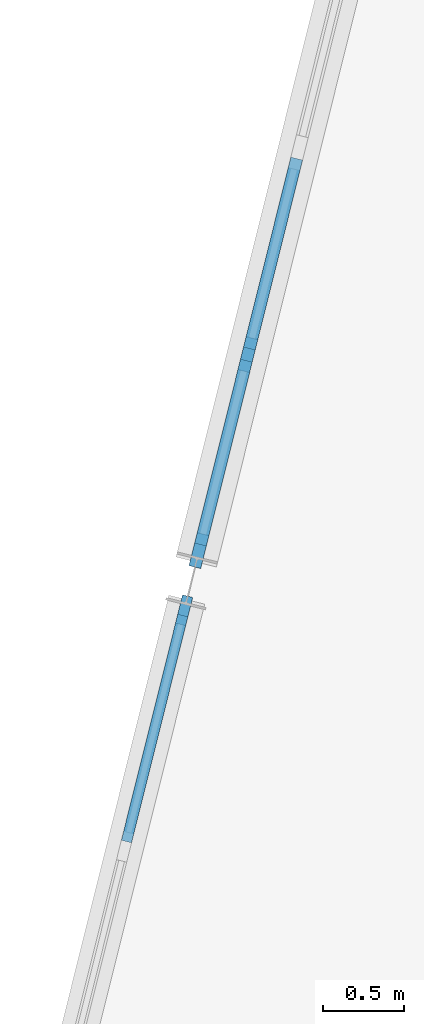
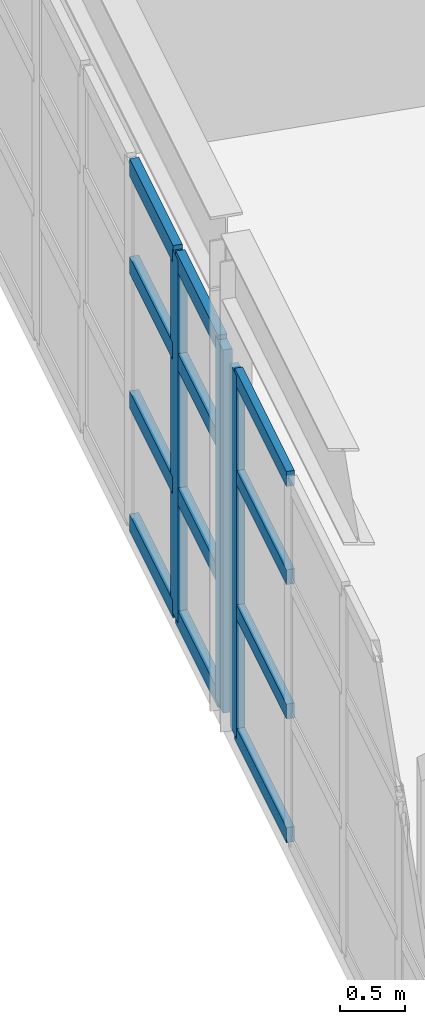
# One storey, part 9 of 27: 15 members, 2 elements without a shape of their own.
"""IFC4 building model written with IfcOpenShell, lengths in metres."""

from ifc_helpers import new_model, si_unit, direction, frame, origin, origin_2d, place, context, subcontext, project, spatial, rectangle, extrude, material, layer, layer_set, material_profile, profile_set, type_object, element, aggregate, save


model = new_model("IFC4")

# Units and contexts
model_context = context("Model", 3, precision=1e-05, world=origin(), true_north=direction((0.0, 1.0)))
body_context = subcontext(model_context, "Body", "Model", "MODEL_VIEW")
ifc_project = project(units=[si_unit("LENGTHUNIT", "METRE"), si_unit("AREAUNIT", "SQUARE_METRE"), si_unit("VOLUMEUNIT", "CUBIC_METRE"), si_unit("PLANEANGLEUNIT", "RADIAN"), si_unit("MASSUNIT", "GRAM", prefix="KILO")], contexts=[model_context])

# Site, building, storey
site_placement = place(None, origin())
site = spatial("IfcSite", under=ifc_project, at=site_placement, CompositionType="ELEMENT")
building_placement = place(site_placement, origin())
building = spatial("IfcBuilding", under=site, at=building_placement, Name="Vireo Bluff Cable Station", CompositionType="ELEMENT")
storey_placement = place(building_placement, frame((0.0, 0.0, 19.199951171875)))
storey = spatial("IfcBuildingStorey", under=building, at=storey_placement, Name="L04", CompositionType="ELEMENT", Elevation=19.199951171875)

# Curtain wall, member
ifc_material = material(Name="Anodized Aluminium 6063-T6", Category="aluminium")
ifc_layer_1 = layer(ifc_material, 0.179931640625, Name="Anodized Aluminium 6063-T6")
ifc_layer_set_1 = layer_set([ifc_layer_1], Name="Anodized Aluminium 6063-T6")
curtain_wall_type_1 = type_object("IfcCurtainWallType", Name="CW-UNIT-1650", PredefinedType="USERDEFINED", material=ifc_layer_set_1)
curtain_wall_1_placement = place(storey_placement, origin())
curtain_wall_1 = element("IfcCurtainWall", 1, at=curtain_wall_1_placement, inside=storey, type_object=curtain_wall_type_1, Name="V1 L04 west curtain wall CW-032", ObjectType="UNITISED CURTAIN WALL", PredefinedType="USERDEFINED")
ifc_material_profile_1 = material_profile(ifc_material, rectangle(XDim=0.06494140625, YDim=0.179931640625, at=origin_2d()), Name="ALU-M-65X180")
ifc_profile_set_1 = profile_set([ifc_material_profile_1], Name="Anodized Aluminium 6063-T6")
member_type_1 = type_object("IfcMemberType", Name="CWM-01", PredefinedType="MULLION", material=ifc_profile_set_1)
member_1_placement = place(storey_placement, frame((57.825439453125, 53.3427734375, 0.0), z_axis=(0.0, 0.0, 1.0), x_axis=(-0.970295746037, 0.241921816345, 0.0)))
member_1 = element("IfcMember", 2, at=member_1_placement, type_object=member_type_1, Name="CW-032 mullion 6", PredefinedType="MULLION", context=body_context, shape_type="SweptSolid", body=[
    extrude(rectangle(XDim=0.06494140625, YDim=0.179931640625, at=origin_2d()), origin(), (0.0, 0.0, 1.0), 3.400146484375),
])

# Curtain wall, members
ifc_layer_2 = layer(ifc_material, 0.179931640625, Name="Anodized Aluminium 6063-T6")
ifc_layer_set_2 = layer_set([ifc_layer_2], Name="Anodized Aluminium 6063-T6")
curtain_wall_type_2 = type_object("IfcCurtainWallType", Name="CW-UNIT-1400", PredefinedType="USERDEFINED", material=ifc_layer_set_2)
curtain_wall_2_placement = place(storey_placement, origin())
curtain_wall_2 = element("IfcCurtainWall", 3, at=curtain_wall_2_placement, inside=storey, type_object=curtain_wall_type_2, Name="V1 L04 west curtain wall CW-033", ObjectType="UNITISED CURTAIN WALL", PredefinedType="USERDEFINED")
ifc_material_profile_2 = material_profile(ifc_material, rectangle(XDim=0.074951171875, YDim=0.2099609375, at=origin_2d()), Name="ALU-M-75X210")
ifc_profile_set_2 = profile_set([ifc_material_profile_2], Name="Anodized Aluminium 6063-T6")
member_type_2 = type_object("IfcMemberType", Name="CWM-02", PredefinedType="MULLION", material=ifc_profile_set_2)
member_2_placement = place(storey_placement, frame((57.917236328125, 53.71142578125, 0.0), z_axis=(0.0, 0.0, 1.0), x_axis=(-0.970295723236, 0.241921907793, 0.0)))
member_2 = element("IfcMember", 4, at=member_2_placement, type_object=member_type_2, Name="CW-033 mullion 1", PredefinedType="MULLION", context=body_context, shape_type="SweptSolid", body=[
    extrude(rectangle(XDim=0.074951171875, YDim=0.2099609375, at=origin_2d()), origin(), (0.0, 0.0, 1.0), 3.400146484375),
])
member_3_placement = place(storey_placement, frame((58.21923828125, 54.922119140625, 0.0), z_axis=(0.0, 0.0, 1.0), x_axis=(-0.970295723236, 0.241921907793, 0.0)))
member_3 = element("IfcMember", 5, at=member_3_placement, type_object=member_type_2, Name="CW-033 mullion 2", PredefinedType="MULLION", context=body_context, shape_type="SweptSolid", body=[
    extrude(rectangle(XDim=0.074951171875, YDim=0.2099609375, at=origin_2d()), origin(), (0.0, 0.0, 1.0), 3.400146484375),
])

# Member
ifc_material_profile_3 = material_profile(ifc_material, rectangle(XDim=0.06494140625, YDim=0.139892578125, at=origin_2d()), Name="ALU-T-65X140")
ifc_profile_set_3 = profile_set([ifc_material_profile_3], Name="Anodized Aluminium 6063-T6")
member_type_3 = type_object("IfcMemberType", Name="CWT-01", PredefinedType="USERDEFINED", material=ifc_profile_set_3)
member_4_placement = place(storey_placement, frame((57.46923828125, 51.9140625, 0.032470703125), z_axis=(0.241937193493, 0.970291911955, 0.0), x_axis=(-0.970291911955, 0.241937193493, 0.0)))
member_4 = element("IfcMember", 6, at=member_4_placement, type_object=member_type_3, Name="CW-032 transom 5.1", ObjectType="TRANSOM", PredefinedType="USERDEFINED", context=body_context, shape_type="SweptSolid", body=[
    extrude(rectangle(XDim=0.06494140625, YDim=0.139892578125, at=origin_2d()), origin(), (0.0, 0.0, 1.0), 1.43994140625),
])

member_5_placement = place(storey_placement, frame((57.46923828125, 51.9140625, 1.18994140625), z_axis=(0.241937193493, 0.970291911955, 0.0), x_axis=(-0.970291911955, 0.241937193493, 0.0)))
member_5 = element("IfcMember", 7, at=member_5_placement, type_object=member_type_3, Name="CW-032 transom 5.2", ObjectType="TRANSOM", PredefinedType="USERDEFINED", context=body_context, shape_type="SweptSolid", body=[
    extrude(rectangle(XDim=0.06494140625, YDim=0.139892578125, at=origin_2d()), origin(), (0.0, 0.0, 1.0), 1.43994140625),
])

member_6_placement = place(storey_placement, frame((57.46923828125, 51.9140625, 2.447998046875), z_axis=(0.241937193493, 0.970291911955, 0.0), x_axis=(-0.970291911955, 0.241937193493, 0.0)))
member_6 = element("IfcMember", 8, at=member_6_placement, type_object=member_type_3, Name="CW-032 transom 5.3", ObjectType="TRANSOM", PredefinedType="USERDEFINED", context=body_context, shape_type="SweptSolid", body=[
    extrude(rectangle(XDim=0.06494140625, YDim=0.139892578125, at=origin_2d()), origin(), (0.0, 0.0, 1.0), 1.43994140625),
])

member_7_placement = place(storey_placement, frame((57.46923828125, 51.9140625, 3.367431640625), z_axis=(0.241937193493, 0.970291911955, 0.0), x_axis=(-0.970291911955, 0.241937193493, 0.0)))
member_7 = element("IfcMember", 9, at=member_7_placement, type_object=member_type_3, Name="CW-032 transom 5.4", ObjectType="TRANSOM", PredefinedType="USERDEFINED", context=body_context, shape_type="SweptSolid", body=[
    extrude(rectangle(XDim=0.06494140625, YDim=0.139892578125, at=origin_2d()), origin(), (0.0, 0.0, 1.0), 1.43994140625),
])

aggregate(curtain_wall_1, [member_1, member_4, member_5, member_6, member_7])

ifc_material_profile_4 = material_profile(ifc_material, rectangle(XDim=0.074951171875, YDim=0.159912109375, at=origin_2d()), Name="ALU-T-75X160")
ifc_profile_set_4 = profile_set([ifc_material_profile_4], Name="Anodized Aluminium 6063-T6")
member_type_4 = type_object("IfcMemberType", Name="CWT-02", PredefinedType="USERDEFINED", material=ifc_profile_set_4)
member_8_placement = place(storey_placement, frame((57.926513671875, 53.747802734375, 0.03759765625), z_axis=(0.241898803642, 0.970301483456, 0.0), x_axis=(-0.970301483456, 0.241898803642, 0.0)))
member_8 = element("IfcMember", 10, at=member_8_placement, type_object=member_type_4, Name="CW-033 transom 1.1", ObjectType="TRANSOM", PredefinedType="USERDEFINED", context=body_context, shape_type="SweptSolid", body=[
    extrude(rectangle(XDim=0.074951171875, YDim=0.159912109375, at=origin_2d()), origin(), (0.0, 0.0, 1.0), 1.1728515625),
])

member_9_placement = place(storey_placement, frame((57.926513671875, 53.747802734375, 1.18994140625), z_axis=(0.241898803642, 0.970301483456, 0.0), x_axis=(-0.970301483456, 0.241898803642, 0.0)))
member_9 = element("IfcMember", 11, at=member_9_placement, type_object=member_type_4, Name="CW-033 transom 1.2", ObjectType="TRANSOM", PredefinedType="USERDEFINED", context=body_context, shape_type="SweptSolid", body=[
    extrude(rectangle(XDim=0.074951171875, YDim=0.159912109375, at=origin_2d()), origin(), (0.0, 0.0, 1.0), 1.1728515625),
])

member_10_placement = place(storey_placement, frame((57.926513671875, 53.747802734375, 2.447998046875), z_axis=(0.241898803642, 0.970301483456, 0.0), x_axis=(-0.970301483456, 0.241898803642, 0.0)))
member_10 = element("IfcMember", 12, at=member_10_placement, type_object=member_type_4, Name="CW-033 transom 1.3", ObjectType="TRANSOM", PredefinedType="USERDEFINED", context=body_context, shape_type="SweptSolid", body=[
    extrude(rectangle(XDim=0.074951171875, YDim=0.159912109375, at=origin_2d()), origin(), (0.0, 0.0, 1.0), 1.1728515625),
])

member_11_placement = place(storey_placement, frame((57.926513671875, 53.747802734375, 3.362548828125), z_axis=(0.241898803642, 0.970301483456, 0.0), x_axis=(-0.970301483456, 0.241898803642, 0.0)))
member_11 = element("IfcMember", 13, at=member_11_placement, type_object=member_type_4, Name="CW-033 transom 1.4", ObjectType="TRANSOM", PredefinedType="USERDEFINED", context=body_context, shape_type="SweptSolid", body=[
    extrude(rectangle(XDim=0.074951171875, YDim=0.159912109375, at=origin_2d()), origin(), (0.0, 0.0, 1.0), 1.1728515625),
])

member_12_placement = place(storey_placement, frame((58.228271484375, 54.95849609375, 0.03759765625), z_axis=(0.241871054621, 0.970308400941, 0.0), x_axis=(-0.970308400941, 0.241871054621, 0.0)))
member_12 = element("IfcMember", 14, at=member_12_placement, type_object=member_type_4, Name="CW-033 transom 2.1", ObjectType="TRANSOM", PredefinedType="USERDEFINED", context=body_context, shape_type="SweptSolid", body=[
    extrude(rectangle(XDim=0.074951171875, YDim=0.159912109375, at=origin_2d()), origin(), (0.0, 0.0, 1.0), 1.210205078125),
])

member_13_placement = place(storey_placement, frame((58.228271484375, 54.95849609375, 1.18994140625), z_axis=(0.241871054621, 0.970308400941, 0.0), x_axis=(-0.970308400941, 0.241871054621, 0.0)))
member_13 = element("IfcMember", 15, at=member_13_placement, type_object=member_type_4, Name="CW-033 transom 2.2", ObjectType="TRANSOM", PredefinedType="USERDEFINED", context=body_context, shape_type="SweptSolid", body=[
    extrude(rectangle(XDim=0.074951171875, YDim=0.159912109375, at=origin_2d()), origin(), (0.0, 0.0, 1.0), 1.210205078125),
])

member_14_placement = place(storey_placement, frame((58.228271484375, 54.95849609375, 2.447998046875), z_axis=(0.241871054621, 0.970308400941, 0.0), x_axis=(-0.970308400941, 0.241871054621, 0.0)))
member_14 = element("IfcMember", 16, at=member_14_placement, type_object=member_type_4, Name="CW-033 transom 2.3", ObjectType="TRANSOM", PredefinedType="USERDEFINED", context=body_context, shape_type="SweptSolid", body=[
    extrude(rectangle(XDim=0.074951171875, YDim=0.159912109375, at=origin_2d()), origin(), (0.0, 0.0, 1.0), 1.210205078125),
])

member_15_placement = place(storey_placement, frame((58.228271484375, 54.95849609375, 3.362548828125), z_axis=(0.241871054621, 0.970308400941, 0.0), x_axis=(-0.970308400941, 0.241871054621, 0.0)))
member_15 = element("IfcMember", 17, at=member_15_placement, type_object=member_type_4, Name="CW-033 transom 2.4", ObjectType="TRANSOM", PredefinedType="USERDEFINED", context=body_context, shape_type="SweptSolid", body=[
    extrude(rectangle(XDim=0.074951171875, YDim=0.159912109375, at=origin_2d()), origin(), (0.0, 0.0, 1.0), 1.210205078125),
])

aggregate(curtain_wall_2, [member_2, member_3, member_8, member_9, member_10, member_11, member_12, member_13, member_14, member_15])

save(model, "model.ifc")
